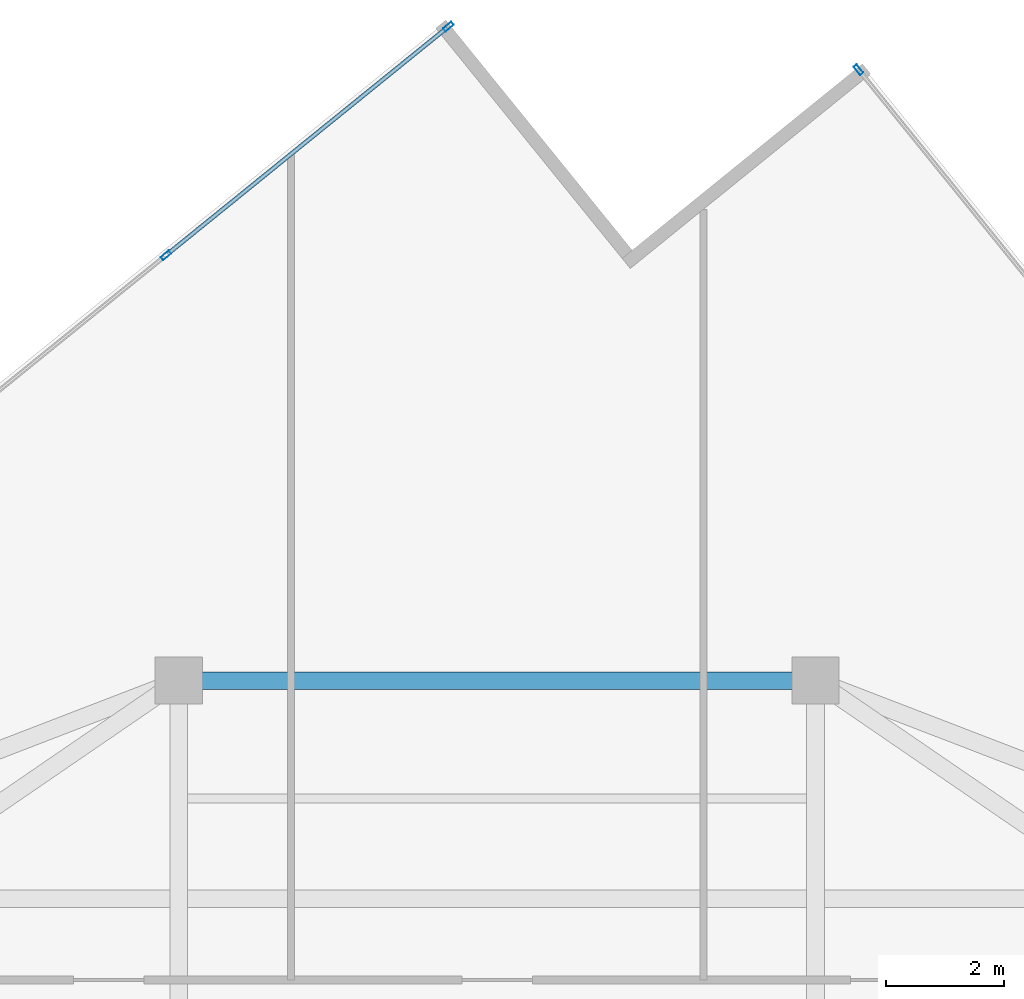
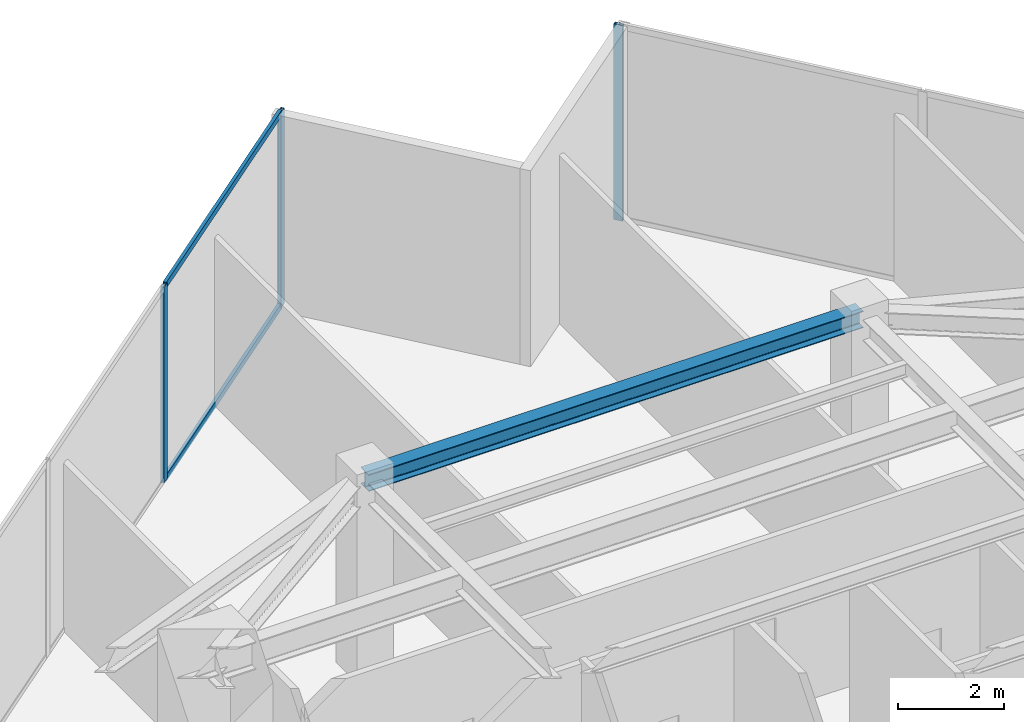
# One storey, part 14 of 22: 5 members, 1 beam, 2 elements without a shape of their own.
"""IFC4 building model written with IfcOpenShell, lengths in metres."""

import ifcopenshell
import ifcopenshell.guid

model = None  # the IFC model being written
_history = None  # IfcOwnerHistory: only IFC2X3 demands one
_inside = {}  # id of a spatial element -> (the spatial element, [elements in it])
_under = {}  # id of a project, library or spatial element -> (it, [spatial elements below it])
_declared = {}  # id of a project -> (the project, [libraries it declares])
_typed = {}  # id of a type object -> (the type object, [elements of that type])
_made_of = {}  # id of a material, layer set ... -> (it, [elements and type objects made of it])


def new_model(schema):
    """Start an empty IFC model of exactly this schema.

    Asked for "IFC4X3", IfcOpenShell would pick the latest addendum, in which some entities
    have other attributes; the version numbers below select the first issue.
    IFC2X3 requires an IfcOwnerHistory on every rooted entity: one is made here for all.
    """
    global model, _history
    if schema == "IFC4X3":
        model = ifcopenshell.file(schema_version=(4, 3, 0, 0))
    else:
        model = ifcopenshell.file(schema=schema)
    _inside.clear()
    _under.clear()
    _declared.clear()
    _typed.clear()
    _made_of.clear()
    _history = None
    if model.schema == "IFC2X3":
        org = make("IfcOrganization", Name="unknown")
        user = make(
            "IfcPersonAndOrganization",
            ThePerson=make("IfcPerson", FamilyName="unknown"),
            TheOrganization=org,
        )
        app = make(
            "IfcApplication",
            ApplicationDeveloper=org,
            Version="unknown",
            ApplicationFullName="unknown",
            ApplicationIdentifier="unknown",
        )
        _history = make(
            "IfcOwnerHistory",
            OwningUser=user,
            OwningApplication=app,
            ChangeAction="ADDED",
            CreationDate=0,
        )
    return model


def make(cls, **values):
    """One entity of the class cls with the attributes given. An attribute that is None is left unset."""
    return model.create_entity(
        cls, **{name: value for name, value in values.items() if value is not None}
    )


def rooted(cls, **values):
    """An entity with a GlobalId (a new one), such as an element, a storey or a relation."""
    return make(cls, GlobalId=ifcopenshell.guid.new(), OwnerHistory=_history, **values)


def si_unit(unit_type, name, prefix=None):
    """IfcSIUnit, for example si_unit("LENGTHUNIT", "METRE", prefix="MILLI")."""
    return make("IfcSIUnit", UnitType=unit_type, Prefix=prefix, Name=name)


def assignment(units):
    """IfcUnitAssignment: the units of a project."""
    return None if units is None else make("IfcUnitAssignment", Units=units)


def point(xyz):
    """IfcCartesianPoint."""
    return None if xyz is None else make("IfcCartesianPoint", Coordinates=xyz)


def direction(xyz):
    """IfcDirection."""
    return None if xyz is None else make("IfcDirection", DirectionRatios=xyz)


def frame(location, z_axis=None, x_axis=None):
    """IfcAxis2Placement3D, a coordinate frame: its origin and axes. An axis left out is left unset."""
    return make(
        "IfcAxis2Placement3D",
        Location=point(location),
        Axis=direction(z_axis),
        RefDirection=direction(x_axis),
    )


def frame_2d(location, x_axis=None):
    """IfcAxis2Placement2D, a coordinate frame in the plane: its origin and x axis."""
    return make(
        "IfcAxis2Placement2D", Location=point(location), RefDirection=direction(x_axis)
    )


def origin():
    """The frame at (0, 0, 0) with its axes left unset."""
    return frame((0.0, 0.0, 0.0))


def origin_2d():
    """The frame at (0, 0) in the plane with its x axis left unset."""
    return frame_2d((0.0, 0.0))


def place(relative_to, where):
    """IfcLocalPlacement: puts the frame where relative to a parent placement (None: the world)."""
    return make(
        "IfcLocalPlacement", PlacementRelTo=relative_to, RelativePlacement=where
    )


def context(
    kind, dimensions, precision=None, world=None, true_north=None, identifier=None
):
    """IfcGeometricRepresentationContext, for example the 3D "Model" context."""
    return make(
        "IfcGeometricRepresentationContext",
        ContextIdentifier=identifier,
        ContextType=kind,
        CoordinateSpaceDimension=dimensions,
        Precision=precision,
        WorldCoordinateSystem=world,
        TrueNorth=true_north,
    )


def subcontext(parent, identifier, kind, view, scale=None):
    """IfcGeometricRepresentationSubContext, for example "Body" below "Model"."""
    return make(
        "IfcGeometricRepresentationSubContext",
        ContextIdentifier=identifier,
        ContextType=kind,
        ParentContext=parent,
        TargetScale=scale,
        TargetView=view,
    )


def project(units=None, contexts=None):
    """IfcProject with its units and contexts."""
    return rooted(
        "IfcProject",
        Name="project",
        RepresentationContexts=contexts,
        UnitsInContext=assignment(units),
    )


def spatial(cls, under=None, at=None, **own):
    """A site, building, storey or space (cls), placed at a placement, below another one or the project."""
    s = rooted(cls, ObjectPlacement=at, **own)
    if under is not None:
        _under.setdefault(under.id(), (under, []))[1].append(s)
    return s


def profile(cls, at=None, kind="AREA", **sizes):
    """A parametric profile (cls). Its sizes go by their IFC names, for example OverallWidth=200.0."""
    return make(cls, ProfileType=kind, Position=at, **sizes)


def hollow_rectangle(**sizes):
    """IfcRectangleHollowProfileDef."""
    return profile("IfcRectangleHollowProfileDef", **sizes)


def i_section(**sizes):
    """IfcIShapeProfileDef."""
    return profile("IfcIShapeProfileDef", **sizes)


def extrude(swept, where, along, depth):
    """IfcExtrudedAreaSolid: the profile swept, set in the frame where, extruded along a direction by depth."""
    return make(
        "IfcExtrudedAreaSolid",
        SweptArea=swept,
        Position=where,
        ExtrudedDirection=direction(along),
        Depth=depth,
    )


def shape(context_of_items, identifier, shape_type, items):
    """IfcShapeRepresentation: the items that make up one representation, for example the "Body"."""
    return make(
        "IfcShapeRepresentation",
        ContextOfItems=context_of_items,
        RepresentationIdentifier=identifier,
        RepresentationType=shape_type,
        Items=items,
    )


def source(mapping_origin, context_of_items, identifier, shape_type, items):
    """IfcRepresentationMap: a shape defined once, which mapped items show again and again."""
    return make(
        "IfcRepresentationMap",
        MappingOrigin=mapping_origin,
        MappedRepresentation=shape(context_of_items, identifier, shape_type, items),
    )


def transform(
    local_origin,
    x_axis=None,
    y_axis=None,
    z_axis=None,
    scale=None,
    scale2=None,
    scale3=None,
    uniform=True,
):
    """IfcCartesianTransformationOperator3D, or its non-uniform kind. x_axis, y_axis, z_axis: its Axis1, 2, 3."""
    if uniform:
        return make(
            "IfcCartesianTransformationOperator3D",
            Axis1=direction(x_axis),
            Axis2=direction(y_axis),
            LocalOrigin=point(local_origin),
            Scale=scale,
            Axis3=direction(z_axis),
        )
    return make(
        "IfcCartesianTransformationOperator3DnonUniform",
        Axis1=direction(x_axis),
        Axis2=direction(y_axis),
        LocalOrigin=point(local_origin),
        Scale=scale,
        Axis3=direction(z_axis),
        Scale2=scale2,
        Scale3=scale3,
    )


def mapped(mapping_source, mapping_target):
    """IfcMappedItem: shows the shape of a source again, moved by a transform."""
    return make(
        "IfcMappedItem", MappingSource=mapping_source, MappingTarget=mapping_target
    )


def material(Name=None, Category=None):
    """IfcMaterial."""
    return make("IfcMaterial", Name=Name, Category=Category)


def material_profile(
    of_material, cross_section, Name=None, Category=None, Priority=None
):
    """IfcMaterialProfile: a cross section and its material."""
    return make(
        "IfcMaterialProfile",
        Name=Name,
        Material=of_material,
        Profile=cross_section,
        Priority=Priority,
        Category=Category,
    )


def profile_set(profiles, Name=None, composite=None):
    """IfcMaterialProfileSet."""
    return make(
        "IfcMaterialProfileSet",
        Name=Name,
        MaterialProfiles=profiles,
        CompositeProfile=composite,
    )


def made_of(thing, what):
    """Note that an element or type object is made of a material, layer set ...; save() writes the relation."""
    if what is not None:
        _made_of.setdefault(what.id(), (what, []))[1].append(thing)
    return thing


def type_object(cls, material=None, **own):
    """A type object (cls), such as IfcWallType, which elements share."""
    return made_of(rooted(cls, **own), material)


def type_shapes(of_type, sources):
    """Give a type object the sources (RepresentationMaps) that its elements show as mapped items."""
    of_type.RepresentationMaps = sources


def element(
    cls,
    number,
    at=None,
    inside=None,
    cuts=None,
    type_object=None,
    material=None,
    context=None,
    identifier="Body",
    shape_type=None,
    held_by="IfcProductDefinitionShape",
    body=None,
    shapes=None,
    **own,
):
    """One element of the class cls, such as IfcWall. Its Tag is "e" and its number.

    at: its placement. inside: the storey or other place that contains it. cuts: it is an
    opening in that element (IfcRelVoidsElement). A single representation is given by context,
    identifier, shape_type and body (its items); several are given by shapes. held_by: the class
    of the entity that holds the representations. save() writes the other relations.
    """
    e = rooted(cls, Tag="e%d" % number, ObjectPlacement=at, **own)
    if body is not None:
        shapes = [shape(context, identifier, shape_type, body)]
    if shapes is not None:
        e.Representation = make(held_by, Representations=shapes)
    if inside is not None:
        _inside.setdefault(inside.id(), (inside, []))[1].append(e)
    if cuts is not None:
        rooted(
            "IfcRelVoidsElement", RelatingBuildingElement=cuts, RelatedOpeningElement=e
        )
    if type_object is not None:
        _typed.setdefault(type_object.id(), (type_object, []))[1].append(e)
    return made_of(e, material)


def aggregate(whole, parts):
    """IfcRelAggregates: a whole, such as a stair, and the parts it consists of."""
    return rooted("IfcRelAggregates", RelatingObject=whole, RelatedObjects=parts)


def save(model, path):
    """Write the relations noted so far, then the file.

    IfcRelAggregates (storeys below a building ...), IfcRelContainedInSpatialStructure (elements
    in a storey), IfcRelDefinesByType, IfcRelAssociatesMaterial and IfcRelDeclares: one each for
    every whole, place, type object, material and project.
    """
    for whole, parts in _under.values():
        aggregate(whole, parts)
    for where, things in _inside.values():
        rooted(
            "IfcRelContainedInSpatialStructure",
            RelatedElements=things,
            RelatingStructure=where,
        )
    for kind, things in _typed.values():
        rooted("IfcRelDefinesByType", RelatedObjects=things, RelatingType=kind)
    for what, things in _made_of.values():
        rooted("IfcRelAssociatesMaterial", RelatedObjects=things, RelatingMaterial=what)
    for by, libraries in _declared.values():
        rooted("IfcRelDeclares", RelatingContext=by, RelatedDefinitions=libraries)
    model.write(path)


model = new_model("IFC4")

# Units and contexts
model_context = context("Model", 3, precision=1e-05, world=origin(), true_north=direction((0.0, 1.0)))
body_context = subcontext(model_context, "Body", "Model", "MODEL_VIEW")
ifc_project = project(units=[si_unit("LENGTHUNIT", "METRE"), si_unit("AREAUNIT", "SQUARE_METRE"), si_unit("VOLUMEUNIT", "CUBIC_METRE"), si_unit("PLANEANGLEUNIT", "RADIAN"), si_unit("MASSUNIT", "GRAM", prefix="KILO")], contexts=[model_context])

# Site, building, storey
site_placement = place(None, origin())
site = spatial("IfcSite", under=ifc_project, at=site_placement, CompositionType="ELEMENT")
building_placement = place(site_placement, origin())
building = spatial("IfcBuilding", under=site, at=building_placement, Name="Krantzveldt Concourse Tower", CompositionType="ELEMENT")
storey_placement = place(building_placement, frame((0.0, 0.0, 262.60009765625)))
storey = spatial("IfcBuildingStorey", under=building, at=storey_placement, Name="L64", CompositionType="ELEMENT", Elevation=262.60009765625)

# Beam
ifc_material_1 = material(Name="Steel S355JR", Category="steel")
ifc_material_profile_1 = material_profile(ifc_material_1, i_section(OverallWidth=0.300048828125, OverallDepth=0.389892578125, WebThickness=0.010986328125, FlangeThickness=0.01904296875, FilletRadius=0.027099609375, at=origin_2d()), Name="Steel S355JR", Category="steel")
ifc_profile_set_1 = profile_set([ifc_material_profile_1], Name="Steel S355JR - HEA 400")
beam_type = type_object("IfcBeamType", Name="BM-SP-HEA400", PredefinedType="SPANDREL", material=ifc_profile_set_1)
shared_shape_1 = source(origin(), body_context, "Body", "SweptSolid", [
    extrude(i_section(OverallWidth=0.300048828125, OverallDepth=0.389892578125, WebThickness=0.010986328125, FlangeThickness=0.01904296875, FilletRadius=0.027099609375, at=origin_2d()), origin(), (0.0, 0.0, 1.0), 10.7998046875),
])
type_shapes(beam_type, [shared_shape_1])
beam_placement = place(storey_placement, frame((30.60009765625, 41.199951171875, 4.324951171875), z_axis=(1.0, 0.0, 0.0), x_axis=(0.0, 1.0, 0.0)))
element("IfcBeam", 1, at=beam_placement, inside=storey, type_object=beam_type, Name="L64 Tower Girder SP-R04", PredefinedType="SPANDREL", context=body_context, shape_type="MappedRepresentation", body=[
    mapped(shared_shape_1, transform((0.0, 0.0, 0.0), x_axis=(1.0, 0.0, 0.0), y_axis=(0.0, 1.0, 0.0), z_axis=(0.0, 0.0, 1.0), scale=1.0)),
])

# Curtain wall, members
ifc_material_2 = material(Name="Anodised aluminium 6063-T6", Category="aluminium")
curtain_wall_type = type_object("IfcCurtainWallType", Name="CW5", PredefinedType="USERDEFINED", material=ifc_material_2)
curtain_wall_1_placement = place(storey_placement, origin())
curtain_wall_1 = element("IfcCurtainWall", 2, at=curtain_wall_1_placement, inside=storey, type_object=curtain_wall_type, Name="CW-L64-F01", ObjectType="UNITISED CURTAIN WALL", PredefinedType="USERDEFINED")
ifc_material_profile_2 = material_profile(ifc_material_2, hollow_rectangle(XDim=0.070068359375, YDim=0.179931640625, WallThickness=0.0048828125, at=origin_2d()), Name="Anodised aluminium 6063-T6", Category="aluminium")
ifc_profile_set_2 = profile_set([ifc_material_profile_2], Name="Anodised aluminium 6063-T6 - ALU-MULL 180x70x5")
member_type_1 = type_object("IfcMemberType", Name="CW-MUL-180", PredefinedType="MULLION", material=ifc_profile_set_2)
shared_shape_2 = source(origin(), body_context, "Body", "SweptSolid", [
    extrude(hollow_rectangle(XDim=0.070068359375, YDim=0.179931640625, WallThickness=0.0048828125, at=origin_2d()), origin(), (0.0, 0.0, 1.0), 4.52001953125),
])
type_shapes(member_type_1, [shared_shape_2])
member_1_placement = place(storey_placement, frame((35.174072265625, 52.2939453125, 0.0), z_axis=(0.0, 0.0, 1.0), x_axis=(0.629320425502, -0.777145933558, 0.0)))
member_1 = element("IfcMember", 3, at=member_1_placement, type_object=member_type_1, Name="CW-SKY mullion 1", PredefinedType="MULLION", context=body_context, shape_type="MappedRepresentation", body=[
    mapped(shared_shape_2, transform((0.0, 0.0, 0.0), x_axis=(1.0, 0.0, 0.0), y_axis=(0.0, 1.0, 0.0), z_axis=(0.0, 0.0, 1.0), scale=1.0)),
])
member_2_placement = place(storey_placement, frame((30.383056640625, 48.414306640625, 0.0), z_axis=(0.0, 0.0, 1.0), x_axis=(0.629320425502, -0.777145933558, 0.0)))
member_2 = element("IfcMember", 4, at=member_2_placement, type_object=member_type_1, Name="CW-SKY mullion 2", PredefinedType="MULLION", context=body_context, shape_type="MappedRepresentation", body=[
    mapped(shared_shape_2, transform((0.0, 0.0, 0.0), x_axis=(1.0, 0.0, 0.0), y_axis=(0.0, 1.0, 0.0), z_axis=(0.0, 0.0, 1.0), scale=1.0)),
])

# Curtain wall, member
curtain_wall_2_placement = place(storey_placement, origin())
curtain_wall_2 = element("IfcCurtainWall", 5, at=curtain_wall_2_placement, inside=storey, type_object=curtain_wall_type, Name="CW-L64-F10", ObjectType="UNITISED CURTAIN WALL", PredefinedType="USERDEFINED")
member_3_placement = place(storey_placement, frame((42.129150390625, 51.56298828125, 0.0), z_axis=(0.0, 0.0, 1.0), x_axis=(-0.777145933558, -0.629320425502, 0.0)))
member_3 = element("IfcMember", 6, at=member_3_placement, type_object=member_type_1, Name="CW-SKY mullion 6", PredefinedType="MULLION", context=body_context, shape_type="MappedRepresentation", body=[
    mapped(shared_shape_2, transform((0.0, 0.0, 0.0), x_axis=(1.0, 0.0, 0.0), y_axis=(0.0, 1.0, 0.0), z_axis=(0.0, 0.0, 1.0), scale=1.0)),
])
aggregate(curtain_wall_2, [member_3])

# Member
ifc_material_profile_3 = material_profile(ifc_material_2, hollow_rectangle(XDim=0.070068359375, YDim=0.139892578125, WallThickness=0.0048828125, at=origin_2d()), Name="Anodised aluminium 6063-T6", Category="aluminium")
ifc_profile_set_3 = profile_set([ifc_material_profile_3], Name="Anodised aluminium 6063-T6 - ALU-TRAN 140x70x5")
member_type_2 = type_object("IfcMemberType", Name="CW-TRN-150", PredefinedType="USERDEFINED", material=ifc_profile_set_3)
shared_shape_3 = source(origin(), body_context, "Body", "SweptSolid", [
    extrude(hollow_rectangle(XDim=0.070068359375, YDim=0.139892578125, WallThickness=0.0048828125, at=origin_2d()), origin(), (0.0, 0.0, 1.0), 6.094970703125),
])
type_shapes(member_type_2, [shared_shape_3])
member_4_placement = place(storey_placement, frame((35.14697265625, 52.27197265625, 0.034912109375), z_axis=(-0.77715438142, -0.629309993119, 0.0), x_axis=(0.629309993119, -0.77715438142, 0.0)))
member_4 = element("IfcMember", 7, at=member_4_placement, type_object=member_type_2, Name="CW-SKY transom 1.1", ObjectType="TRANSOM", PredefinedType="USERDEFINED", context=body_context, shape_type="MappedRepresentation", body=[
    mapped(shared_shape_3, transform((0.0, 0.0, 0.0), x_axis=(1.0, 0.0, 0.0), y_axis=(0.0, 1.0, 0.0), z_axis=(0.0, 0.0, 1.0), scale=1.0)),
])

member_5_placement = place(storey_placement, frame((35.14697265625, 52.27197265625, 4.48486328125), z_axis=(-0.77715438142, -0.629309993119, 0.0), x_axis=(0.629309993119, -0.77715438142, 0.0)))
member_5 = element("IfcMember", 8, at=member_5_placement, type_object=member_type_2, Name="CW-SKY transom 1.2", ObjectType="TRANSOM", PredefinedType="USERDEFINED", context=body_context, shape_type="MappedRepresentation", body=[
    mapped(shared_shape_3, transform((0.0, 0.0, 0.0), x_axis=(1.0, 0.0, 0.0), y_axis=(0.0, 1.0, 0.0), z_axis=(0.0, 0.0, 1.0), scale=1.0)),
])

aggregate(curtain_wall_1, [member_1, member_2, member_4, member_5])

save(model, "model.ifc")
